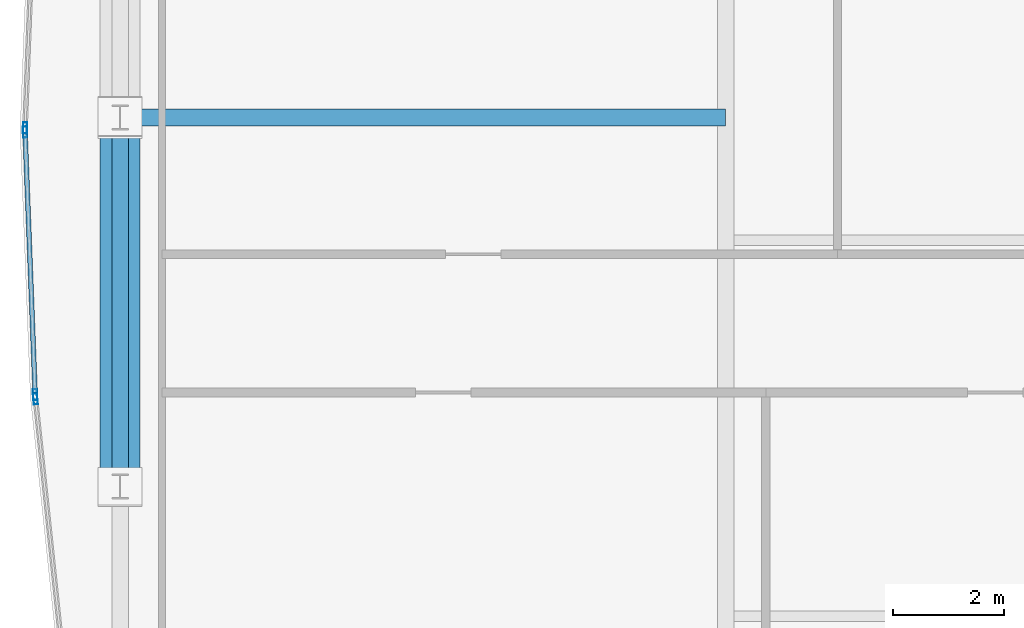
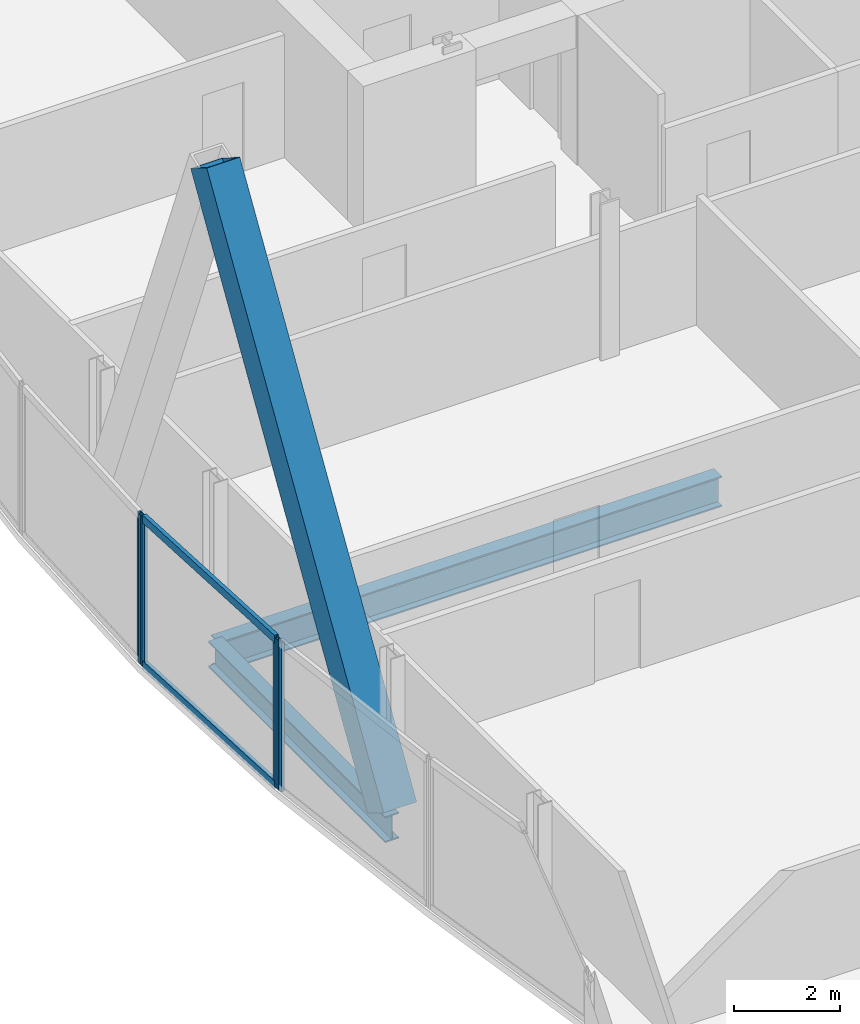
# One storey, part 10 of 32: 7 members, 2 beams, 3 elements without a shape of their own.
"""IFC4 building model written with IfcOpenShell, lengths in metres."""

import ifcopenshell
import ifcopenshell.guid

model = None  # the IFC model being written
_history = None  # IfcOwnerHistory: only IFC2X3 demands one
_inside = {}  # id of a spatial element -> (the spatial element, [elements in it])
_under = {}  # id of a project, library or spatial element -> (it, [spatial elements below it])
_declared = {}  # id of a project -> (the project, [libraries it declares])
_typed = {}  # id of a type object -> (the type object, [elements of that type])
_made_of = {}  # id of a material, layer set ... -> (it, [elements and type objects made of it])


def new_model(schema):
    """Start an empty IFC model of exactly this schema.

    Asked for "IFC4X3", IfcOpenShell would pick the latest addendum, in which some entities
    have other attributes; the version numbers below select the first issue.
    IFC2X3 requires an IfcOwnerHistory on every rooted entity: one is made here for all.
    """
    global model, _history
    if schema == "IFC4X3":
        model = ifcopenshell.file(schema_version=(4, 3, 0, 0))
    else:
        model = ifcopenshell.file(schema=schema)
    _inside.clear()
    _under.clear()
    _declared.clear()
    _typed.clear()
    _made_of.clear()
    _history = None
    if model.schema == "IFC2X3":
        org = make("IfcOrganization", Name="unknown")
        user = make(
            "IfcPersonAndOrganization",
            ThePerson=make("IfcPerson", FamilyName="unknown"),
            TheOrganization=org,
        )
        app = make(
            "IfcApplication",
            ApplicationDeveloper=org,
            Version="unknown",
            ApplicationFullName="unknown",
            ApplicationIdentifier="unknown",
        )
        _history = make(
            "IfcOwnerHistory",
            OwningUser=user,
            OwningApplication=app,
            ChangeAction="ADDED",
            CreationDate=0,
        )
    return model


def make(cls, **values):
    """One entity of the class cls with the attributes given. An attribute that is None is left unset."""
    return model.create_entity(
        cls, **{name: value for name, value in values.items() if value is not None}
    )


def rooted(cls, **values):
    """An entity with a GlobalId (a new one), such as an element, a storey or a relation."""
    return make(cls, GlobalId=ifcopenshell.guid.new(), OwnerHistory=_history, **values)


def si_unit(unit_type, name, prefix=None):
    """IfcSIUnit, for example si_unit("LENGTHUNIT", "METRE", prefix="MILLI")."""
    return make("IfcSIUnit", UnitType=unit_type, Prefix=prefix, Name=name)


def assignment(units):
    """IfcUnitAssignment: the units of a project."""
    return None if units is None else make("IfcUnitAssignment", Units=units)


def point(xyz):
    """IfcCartesianPoint."""
    return None if xyz is None else make("IfcCartesianPoint", Coordinates=xyz)


def direction(xyz):
    """IfcDirection."""
    return None if xyz is None else make("IfcDirection", DirectionRatios=xyz)


def frame(location, z_axis=None, x_axis=None):
    """IfcAxis2Placement3D, a coordinate frame: its origin and axes. An axis left out is left unset."""
    return make(
        "IfcAxis2Placement3D",
        Location=point(location),
        Axis=direction(z_axis),
        RefDirection=direction(x_axis),
    )


def frame_2d(location, x_axis=None):
    """IfcAxis2Placement2D, a coordinate frame in the plane: its origin and x axis."""
    return make(
        "IfcAxis2Placement2D", Location=point(location), RefDirection=direction(x_axis)
    )


def origin():
    """The frame at (0, 0, 0) with its axes left unset."""
    return frame((0.0, 0.0, 0.0))


def origin_2d():
    """The frame at (0, 0) in the plane with its x axis left unset."""
    return frame_2d((0.0, 0.0))


def place(relative_to, where):
    """IfcLocalPlacement: puts the frame where relative to a parent placement (None: the world)."""
    return make(
        "IfcLocalPlacement", PlacementRelTo=relative_to, RelativePlacement=where
    )


def context(
    kind, dimensions, precision=None, world=None, true_north=None, identifier=None
):
    """IfcGeometricRepresentationContext, for example the 3D "Model" context."""
    return make(
        "IfcGeometricRepresentationContext",
        ContextIdentifier=identifier,
        ContextType=kind,
        CoordinateSpaceDimension=dimensions,
        Precision=precision,
        WorldCoordinateSystem=world,
        TrueNorth=true_north,
    )


def subcontext(parent, identifier, kind, view, scale=None):
    """IfcGeometricRepresentationSubContext, for example "Body" below "Model"."""
    return make(
        "IfcGeometricRepresentationSubContext",
        ContextIdentifier=identifier,
        ContextType=kind,
        ParentContext=parent,
        TargetScale=scale,
        TargetView=view,
    )


def project(units=None, contexts=None):
    """IfcProject with its units and contexts."""
    return rooted(
        "IfcProject",
        Name="project",
        RepresentationContexts=contexts,
        UnitsInContext=assignment(units),
    )


def spatial(cls, under=None, at=None, **own):
    """A site, building, storey or space (cls), placed at a placement, below another one or the project."""
    s = rooted(cls, ObjectPlacement=at, **own)
    if under is not None:
        _under.setdefault(under.id(), (under, []))[1].append(s)
    return s


def profile(cls, at=None, kind="AREA", **sizes):
    """A parametric profile (cls). Its sizes go by their IFC names, for example OverallWidth=200.0."""
    return make(cls, ProfileType=kind, Position=at, **sizes)


def hollow_rectangle(**sizes):
    """IfcRectangleHollowProfileDef."""
    return profile("IfcRectangleHollowProfileDef", **sizes)


def i_section(**sizes):
    """IfcIShapeProfileDef."""
    return profile("IfcIShapeProfileDef", **sizes)


def extrude(swept, where, along, depth):
    """IfcExtrudedAreaSolid: the profile swept, set in the frame where, extruded along a direction by depth."""
    return make(
        "IfcExtrudedAreaSolid",
        SweptArea=swept,
        Position=where,
        ExtrudedDirection=direction(along),
        Depth=depth,
    )


def shape(context_of_items, identifier, shape_type, items):
    """IfcShapeRepresentation: the items that make up one representation, for example the "Body"."""
    return make(
        "IfcShapeRepresentation",
        ContextOfItems=context_of_items,
        RepresentationIdentifier=identifier,
        RepresentationType=shape_type,
        Items=items,
    )


def material(Name=None, Category=None):
    """IfcMaterial."""
    return make("IfcMaterial", Name=Name, Category=Category)


def material_profile(
    of_material, cross_section, Name=None, Category=None, Priority=None
):
    """IfcMaterialProfile: a cross section and its material."""
    return make(
        "IfcMaterialProfile",
        Name=Name,
        Material=of_material,
        Profile=cross_section,
        Priority=Priority,
        Category=Category,
    )


def profile_set(profiles, Name=None, composite=None):
    """IfcMaterialProfileSet."""
    return make(
        "IfcMaterialProfileSet",
        Name=Name,
        MaterialProfiles=profiles,
        CompositeProfile=composite,
    )


def made_of(thing, what):
    """Note that an element or type object is made of a material, layer set ...; save() writes the relation."""
    if what is not None:
        _made_of.setdefault(what.id(), (what, []))[1].append(thing)
    return thing


def type_object(cls, material=None, **own):
    """A type object (cls), such as IfcWallType, which elements share."""
    return made_of(rooted(cls, **own), material)


def element(
    cls,
    number,
    at=None,
    inside=None,
    cuts=None,
    type_object=None,
    material=None,
    context=None,
    identifier="Body",
    shape_type=None,
    held_by="IfcProductDefinitionShape",
    body=None,
    shapes=None,
    **own,
):
    """One element of the class cls, such as IfcWall. Its Tag is "e" and its number.

    at: its placement. inside: the storey or other place that contains it. cuts: it is an
    opening in that element (IfcRelVoidsElement). A single representation is given by context,
    identifier, shape_type and body (its items); several are given by shapes. held_by: the class
    of the entity that holds the representations. save() writes the other relations.
    """
    e = rooted(cls, Tag="e%d" % number, ObjectPlacement=at, **own)
    if body is not None:
        shapes = [shape(context, identifier, shape_type, body)]
    if shapes is not None:
        e.Representation = make(held_by, Representations=shapes)
    if inside is not None:
        _inside.setdefault(inside.id(), (inside, []))[1].append(e)
    if cuts is not None:
        rooted(
            "IfcRelVoidsElement", RelatingBuildingElement=cuts, RelatedOpeningElement=e
        )
    if type_object is not None:
        _typed.setdefault(type_object.id(), (type_object, []))[1].append(e)
    return made_of(e, material)


def aggregate(whole, parts):
    """IfcRelAggregates: a whole, such as a stair, and the parts it consists of."""
    return rooted("IfcRelAggregates", RelatingObject=whole, RelatedObjects=parts)


def save(model, path):
    """Write the relations noted so far, then the file.

    IfcRelAggregates (storeys below a building ...), IfcRelContainedInSpatialStructure (elements
    in a storey), IfcRelDefinesByType, IfcRelAssociatesMaterial and IfcRelDeclares: one each for
    every whole, place, type object, material and project.
    """
    for whole, parts in _under.values():
        aggregate(whole, parts)
    for where, things in _inside.values():
        rooted(
            "IfcRelContainedInSpatialStructure",
            RelatedElements=things,
            RelatingStructure=where,
        )
    for kind, things in _typed.values():
        rooted("IfcRelDefinesByType", RelatedObjects=things, RelatingType=kind)
    for what, things in _made_of.values():
        rooted("IfcRelAssociatesMaterial", RelatedObjects=things, RelatingMaterial=what)
    for by, libraries in _declared.values():
        rooted("IfcRelDeclares", RelatingContext=by, RelatedDefinitions=libraries)
    model.write(path)


model = new_model("IFC4")

# Units and contexts
model_context = context("Model", 3, precision=1e-05, world=origin(), true_north=direction((0.0, 1.0)))
body_context = subcontext(model_context, "Body", "Model", "MODEL_VIEW")
ifc_project = project(units=[si_unit("LENGTHUNIT", "METRE"), si_unit("AREAUNIT", "SQUARE_METRE"), si_unit("VOLUMEUNIT", "CUBIC_METRE"), si_unit("PLANEANGLEUNIT", "RADIAN"), si_unit("MASSUNIT", "GRAM", prefix="KILO")], contexts=[model_context])

# Site, building, storey
site_placement = place(None, origin())
site = spatial("IfcSite", under=ifc_project, at=site_placement, CompositionType="ELEMENT")
building_placement = place(site_placement, origin())
building = spatial("IfcBuilding", under=site, at=building_placement, Name="Khoronbel Lancet Exchange", CompositionType="ELEMENT")
storey_placement = place(building_placement, frame((0.0, 0.0, 199.39990234375)))
storey = spatial("IfcBuildingStorey", under=building, at=storey_placement, Name="L50", CompositionType="ELEMENT", Elevation=199.39990234375)

# Beams
ifc_material_1 = material(Name="Steel S355", Category="steel")
ifc_material_profile_1 = material_profile(ifc_material_1, i_section(OverallWidth=0.300048828125, OverallDepth=0.699951171875, WebThickness=0.01708984375, FlangeThickness=0.031982421875, at=origin_2d()), Name="HEB 700")
ifc_profile_set_1 = profile_set([ifc_material_profile_1], Name="Steel S355")
beam_type_1 = type_object("IfcBeamType", Name="BM-BG3", PredefinedType="BEAM", material=ifc_profile_set_1)
beam_1_placement = place(storey_placement, frame((7.27001953125, 31.425048828125, -0.510009765625), z_axis=(1.0, 0.0, 0.0), x_axis=(0.0, 1.0, 0.0)))
element("IfcBeam", 1, at=beam_1_placement, inside=storey, type_object=beam_type_1, Name="Level L50 west lens tie girder LG2W", PredefinedType="BEAM", context=body_context, shape_type="SweptSolid", body=[
    extrude(i_section(OverallWidth=0.300048828125, OverallDepth=0.699951171875, WebThickness=0.01708984375, FlangeThickness=0.031982421875, at=origin_2d()), origin(), (0.0, 0.0, 1.0), 10.955078125),
])
ifc_material_profile_2 = material_profile(ifc_material_1, i_section(OverallWidth=0.300048828125, OverallDepth=0.60009765625, WebThickness=0.015380859375, FlangeThickness=0.030029296875, at=origin_2d()), Name="HEB 600")
ifc_profile_set_2 = profile_set([ifc_material_profile_2], Name="Steel S355")
beam_type_2 = type_object("IfcBeamType", Name="BM-BSP2", PredefinedType="SPANDREL", material=ifc_profile_set_2)
beam_2_placement = place(storey_placement, frame((7.27001953125, 31.425048828125, -0.4599609375), z_axis=(0.0, -1.0, 0.0), x_axis=(1.0, 0.0, 0.0)))
element("IfcBeam", 2, at=beam_2_placement, inside=storey, type_object=beam_type_2, Name="Level L50 perimeter spandrel beam SP19", PredefinedType="SPANDREL", context=body_context, shape_type="SweptSolid", body=[
    extrude(i_section(OverallWidth=0.300048828125, OverallDepth=0.60009765625, WebThickness=0.015380859375, FlangeThickness=0.030029296875, at=origin_2d()), origin(), (0.0, 0.0, 1.0), 6.675048828125),
])

# Curtain wall, member
ifc_material_2 = material(Name="Low-E Solar Control Insulating Glass", Category="glass")
curtain_wall_type = type_object("IfcCurtainWallType", Name="CW-4", PredefinedType="NOTDEFINED", material=ifc_material_2)
curtain_wall_1_placement = place(storey_placement, origin())
curtain_wall_1 = element("IfcCurtainWall", 3, at=curtain_wall_1_placement, inside=storey, type_object=curtain_wall_type, Name="Unitised curtain wall CW-L50-E05", PredefinedType="NOTDEFINED")
ifc_material_3 = material(Name="Bronze-Anodised Aluminium 6063-T6", Category="aluminium")
ifc_material_profile_3 = material_profile(ifc_material_3, hollow_rectangle(XDim=0.074951171875, YDim=0.199951171875, WallThickness=0.0048828125, at=origin_2d()), Name="ALU MULLION 75x200")
ifc_profile_set_3 = profile_set([ifc_material_profile_3], Name="Bronze-Anodised Aluminium 6063-T6")
member_type_1 = type_object("IfcMemberType", Name="MEM-CWM2", PredefinedType="MULLION", material=ifc_profile_set_3)
member_1_placement = place(storey_placement, frame((5.739990234375, 26.3359375, 0.0), z_axis=(0.0, 0.0, 1.0), x_axis=(-0.994505340069, -0.104685856606, 0.0)))
member_1 = element("IfcMember", 4, at=member_1_placement, type_object=member_type_1, Name="CW4 mullion 2", PredefinedType="MULLION", context=body_context, shape_type="SweptSolid", body=[
    extrude(hollow_rectangle(XDim=0.074951171875, YDim=0.199951171875, WallThickness=0.0048828125, at=origin_2d()), origin(), (0.0, 0.0, 1.0), 3.440185546875),
])
aggregate(curtain_wall_1, [member_1])

# Curtain wall, members
curtain_wall_2_placement = place(storey_placement, origin())
curtain_wall_2 = element("IfcCurtainWall", 5, at=curtain_wall_2_placement, inside=storey, type_object=curtain_wall_type, Name="Unitised curtain wall CW-L50-E06", PredefinedType="NOTDEFINED")
member_2_placement = place(storey_placement, frame((5.734619140625, 26.41064453125, 0.0), z_axis=(0.0, 0.0, 1.0), x_axis=(-0.999259155008, -0.038485596441, 0.0)))
member_2 = element("IfcMember", 6, at=member_2_placement, type_object=member_type_1, Name="CW4 mullion 1", PredefinedType="MULLION", context=body_context, shape_type="SweptSolid", body=[
    extrude(hollow_rectangle(XDim=0.074951171875, YDim=0.199951171875, WallThickness=0.0048828125, at=origin_2d()), origin(), (0.0, 0.0, 1.0), 3.440185546875),
])
member_3_placement = place(storey_placement, frame((5.5517578125, 31.16259765625, 0.0), z_axis=(0.0, 0.0, 1.0), x_axis=(-0.999259155008, -0.038485596441, 0.0)))
member_3 = element("IfcMember", 7, at=member_3_placement, type_object=member_type_1, Name="CW4 mullion 2", PredefinedType="MULLION", context=body_context, shape_type="SweptSolid", body=[
    extrude(hollow_rectangle(XDim=0.074951171875, YDim=0.199951171875, WallThickness=0.0048828125, at=origin_2d()), origin(), (0.0, 0.0, 1.0), 3.440185546875),
])

# Curtain wall, member
curtain_wall_3_placement = place(storey_placement, origin())
curtain_wall_3 = element("IfcCurtainWall", 8, at=curtain_wall_3_placement, inside=storey, type_object=curtain_wall_type, Name="Unitised curtain wall CW-L50-E07", PredefinedType="NOTDEFINED")
member_4_placement = place(storey_placement, frame((5.5517578125, 31.237548828125, 0.0), z_axis=(0.0, 0.0, 1.0), x_axis=(-0.999259155008, 0.038485596441, 0.0)))
member_4 = element("IfcMember", 9, at=member_4_placement, type_object=member_type_1, Name="CW4 mullion 1", PredefinedType="MULLION", context=body_context, shape_type="SweptSolid", body=[
    extrude(hollow_rectangle(XDim=0.074951171875, YDim=0.199951171875, WallThickness=0.0048828125, at=origin_2d()), origin(), (0.0, 0.0, 1.0), 3.440185546875),
])
aggregate(curtain_wall_3, [member_4])

# Member
ifc_material_profile_4 = material_profile(ifc_material_3, hollow_rectangle(XDim=0.0849609375, YDim=0.179931640625, WallThickness=0.0048828125, at=origin_2d()), Name="ALU TRANSOM 85x180")
ifc_profile_set_4 = profile_set([ifc_material_profile_4], Name="Bronze-Anodised Aluminium 6063-T6")
member_type_2 = type_object("IfcMemberType", Name="MEM-CWT1", PredefinedType="USERDEFINED", material=ifc_profile_set_4)
member_5_placement = place(storey_placement, frame((5.733154296875, 26.4482421875, 0.04248046875), z_axis=(-0.038497229364, 0.999258706908, 0.0), x_axis=(-0.999258706908, -0.038497229364, 0.0)))
member_5 = element("IfcMember", 10, at=member_5_placement, type_object=member_type_2, Name="CW4 transom 1.1", ObjectType="TRANSOM", PredefinedType="USERDEFINED", context=body_context, shape_type="SweptSolid", body=[
    extrude(hollow_rectangle(XDim=0.0849609375, YDim=0.179931640625, WallThickness=0.0048828125, at=origin_2d()), origin(), (0.0, 0.0, 1.0), 4.68017578125),
])

member_6_placement = place(storey_placement, frame((5.733154296875, 26.4482421875, 3.397705078125), z_axis=(-0.038497229364, 0.999258706908, 0.0), x_axis=(-0.999258706908, -0.038497229364, 0.0)))
member_6 = element("IfcMember", 11, at=member_6_placement, type_object=member_type_2, Name="CW4 transom 1.2", ObjectType="TRANSOM", PredefinedType="USERDEFINED", context=body_context, shape_type="SweptSolid", body=[
    extrude(hollow_rectangle(XDim=0.0849609375, YDim=0.179931640625, WallThickness=0.0048828125, at=origin_2d()), origin(), (0.0, 0.0, 1.0), 4.68017578125),
])

aggregate(curtain_wall_2, [member_2, member_3, member_5, member_6])

ifc_material_4 = material(Name="Steel S460", Category="steel")
ifc_material_profile_5 = material_profile(ifc_material_4, hollow_rectangle(XDim=0.719970703125, YDim=0.719970703125, WallThickness=0.050048828125, at=origin_2d()), Name="BOX 720x720x50")
ifc_profile_set_5 = profile_set([ifc_material_profile_5], Name="Steel S460")
member_type_3 = type_object("IfcMemberType", Name="MEM-MB2", PredefinedType="BRACE", material=ifc_profile_set_5)
member_7_placement = place(storey_placement, frame((7.27001953125, 24.75, 0.0), z_axis=(0.0, 0.525745449971, 0.850641946906), x_axis=(-1.0, 0.0, 0.0)))
element("IfcMember", 12, at=member_7_placement, inside=storey, type_object=member_type_3, Name="Perimeter lancet brace tier 17 W-P-L", PredefinedType="BRACE", context=body_context, shape_type="SweptSolid", body=[
    extrude(hollow_rectangle(XDim=0.719970703125, YDim=0.719970703125, WallThickness=0.050048828125, at=origin_2d()), origin(), (0.0, 0.0, 1.0), 12.6962890625),
])

save(model, "model.ifc")
